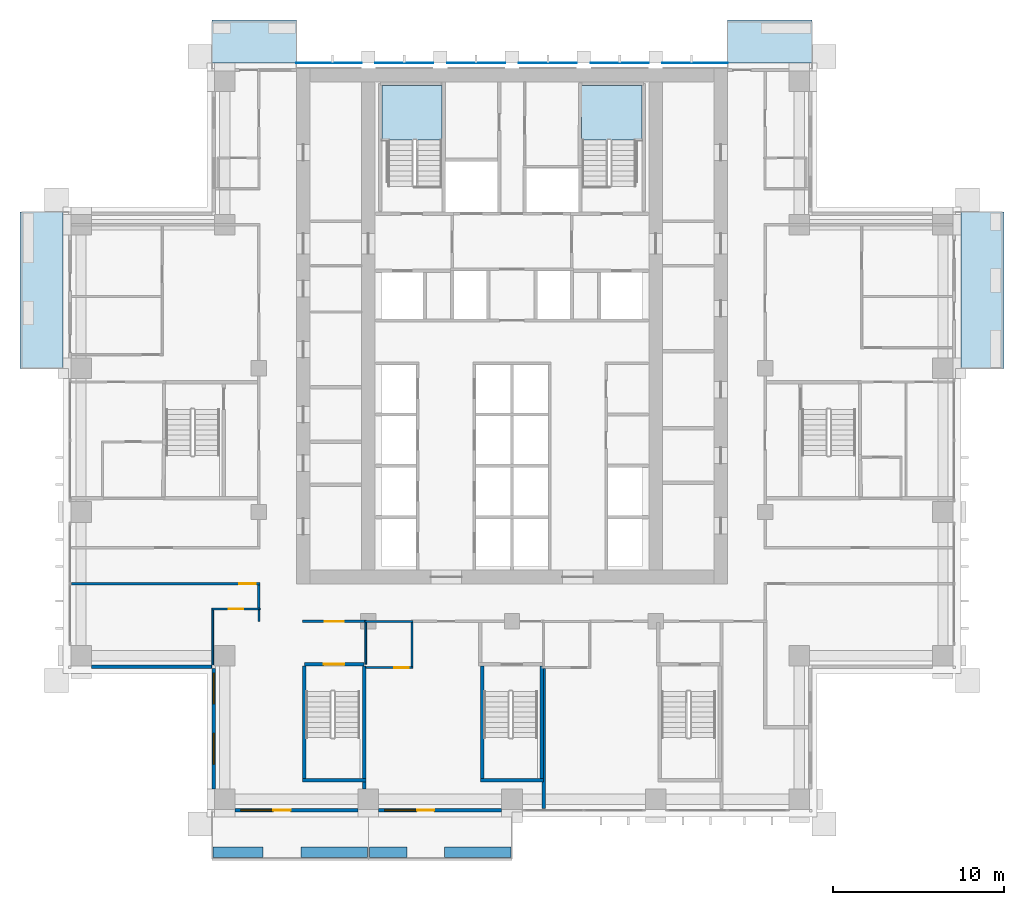
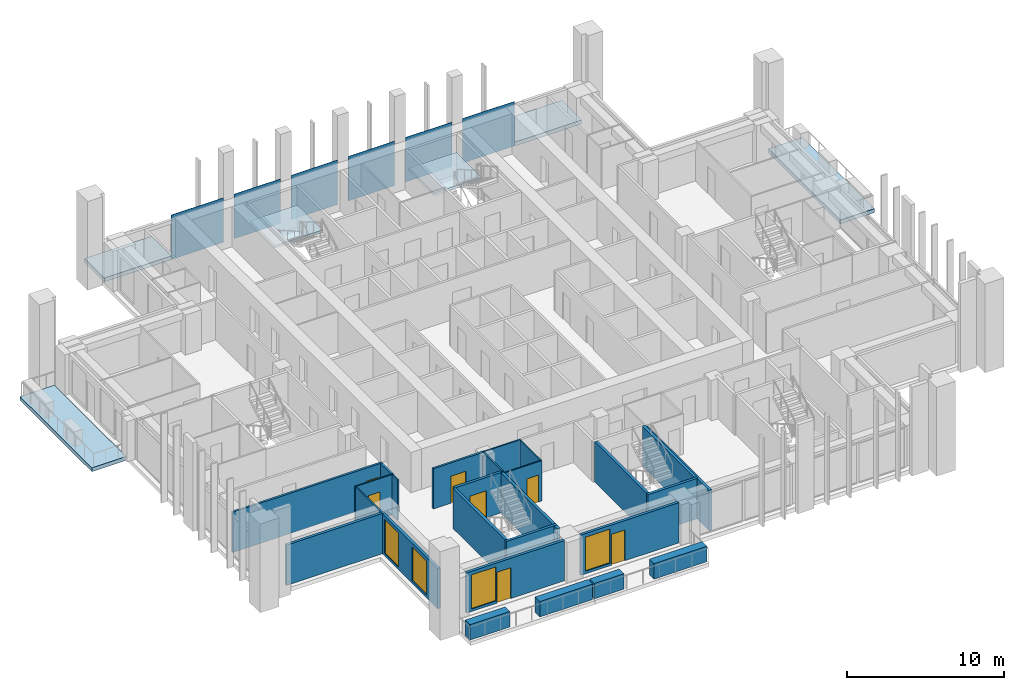
# One storey, part 6 of 17: 26 walls, 7 doors, 6 plates, 6 slabs, 4 windows, 11 openings, 2 elements without a shape of their own.
"""IFC4 building model written with IfcOpenShell, lengths in metres."""

from ifc_helpers import new_model, si_unit, direction, frame, frame_2d, origin, origin_2d, place, context, subcontext, project, spatial, polyline, rectangle, outline, extrude, material, layer, layer_set, type_object, element, fill, aggregate, save


model = new_model("IFC4")

# Units and contexts
model_context = context("Model", 3, precision=1e-05, world=origin(), true_north=direction((0.0, 1.0)))
body_context = subcontext(model_context, "Body", "Model", "MODEL_VIEW")
ifc_project = project(units=[si_unit("LENGTHUNIT", "METRE"), si_unit("AREAUNIT", "SQUARE_METRE"), si_unit("VOLUMEUNIT", "CUBIC_METRE"), si_unit("PLANEANGLEUNIT", "RADIAN"), si_unit("MASSUNIT", "GRAM", prefix="KILO")], contexts=[model_context])

# Site, building, storey
site_placement = place(None, origin())
site = spatial("IfcSite", under=ifc_project, at=site_placement, CompositionType="ELEMENT")
building_placement = place(site_placement, origin())
building = spatial("IfcBuilding", under=site, at=building_placement, Name="Vermilion Ogive Tower", CompositionType="ELEMENT")
storey_placement = place(building_placement, frame((0.0, 0.0, 111.449951171875)))
storey = spatial("IfcBuildingStorey", under=building, at=storey_placement, Name="L28", CompositionType="ELEMENT", Elevation=111.449951171875)

# Slabs
ifc_material_1 = material(Name="Concrete B40", Category="concrete")
ifc_layer_1 = layer(ifc_material_1, 0.300048828125)
ifc_layer_set_1 = layer_set([ifc_layer_1], Name="Balcony slab")
slab_type_1 = type_object("IfcSlabType", Name="Balcony slab", PredefinedType="FLOOR", material=ifc_layer_set_1)
slab_1_placement = place(storey_placement, frame((0.0, 0.0, -0.33984375)))
element("IfcSlab", 1, at=slab_1_placement, inside=storey, type_object=slab_type_1, Name="Balcony slab E03", PredefinedType="FLOOR", context=body_context, shape_type="SweptSolid", body=[
    extrude(outline(polyline([(28.77392578125, 4.199951171875), (28.77392578125, 13.35009765625), (26.25, 13.35009765625), (26.25, 4.199951171875), (28.77392578125, 4.199951171875)])), origin(), (0.0, 0.0, 1.0), 0.2998046875),
])
slab_2_placement = place(storey_placement, frame((0.0, 0.0, -0.33984375)))
element("IfcSlab", 2, at=slab_2_placement, inside=storey, type_object=slab_type_1, Name="Balcony slab N101", PredefinedType="FLOOR", context=body_context, shape_type="SweptSolid", body=[
    extrude(outline(polyline([(17.550048828125, 24.573974609375), (12.60009765625, 24.573974609375), (12.60009765625, 22.050048828125), (17.550048828125, 22.050048828125), (17.550048828125, 24.573974609375)])), origin(), (0.0, 0.0, 1.0), 0.2998046875),
])
slab_3_placement = place(storey_placement, frame((0.0, 0.0, -0.33984375)))
element("IfcSlab", 3, at=slab_3_placement, inside=storey, type_object=slab_type_1, Name="Balcony slab N201", PredefinedType="FLOOR", context=body_context, shape_type="SweptSolid", body=[
    extrude(outline(polyline([(-12.60009765625, 24.573974609375), (-17.550048828125, 24.573974609375), (-17.550048828125, 22.050048828125), (-12.60009765625, 22.050048828125), (-12.60009765625, 24.573974609375)])), origin(), (0.0, 0.0, 1.0), 0.2998046875),
])
slab_4_placement = place(storey_placement, frame((0.0, 0.0, -0.33984375)))
element("IfcSlab", 4, at=slab_4_placement, inside=storey, type_object=slab_type_1, Name="Balcony slab W01", PredefinedType="FLOOR", context=body_context, shape_type="SweptSolid", body=[
    extrude(outline(polyline([(-28.77392578125, 13.35009765625), (-28.77392578125, 4.199951171875), (-26.25, 4.199951171875), (-26.25, 13.35009765625), (-28.77392578125, 13.35009765625)])), origin(), (0.0, 0.0, 1.0), 0.2998046875),
])

# Plates
ifc_material_2 = material(Name="Low-iron laminated glazing in aluminium frame", Category="aluminium")
ifc_layer_2 = layer(ifc_material_2, 0.031982421875)
ifc_layer_set_2 = layer_set([ifc_layer_2], Name="Glazed rainscreen sheet 32")
plate_type = type_object("IfcPlateType", Name="Glazed rainscreen sheet 32", PredefinedType="SHEET", material=ifc_layer_set_2)
plate_1_placement = place(storey_placement, frame((-10.7099609375, 22.06591796875, -0.31982421875), z_axis=(0.0, 0.0, 1.0), x_axis=(1.0, 0.0, 0.0)))
element("IfcPlate", 5, at=plate_1_placement, inside=storey, type_object=plate_type, Name="Glazed rainscreen sheet N1", PredefinedType="SHEET", context=body_context, shape_type="SweptSolid", body=[
    extrude(rectangle(XDim=3.820068359375, YDim=0.031982421875, at=origin_2d()), origin(), (0.0, 0.0, 1.0), 3.449951171875),
])
for number, where, z_axis, x_axis, name in (
    (6, (-6.300048828125, 22.06591796875, -0.31982421875), (0.0, 0.0, 1.0), (1.0, 0.0, 0.0), "Glazed rainscreen sheet N2"),
    (7, (-2.10009765625, 22.06591796875, -0.31982421875), (0.0, 0.0, 1.0), (1.0, 0.0, 0.0), "Glazed rainscreen sheet N3"),
    (8, (2.10009765625, 22.06591796875, -0.31982421875), (0.0, 0.0, 1.0), (1.0, 0.0, 0.0), "Glazed rainscreen sheet N4"),
    (9, (6.300048828125, 22.06591796875, -0.31982421875), (0.0, 0.0, 1.0), (1.0, 0.0, 0.0), "Glazed rainscreen sheet N5"),
):
    element("IfcPlate", number, at=place(storey_placement, frame(where, z_axis=z_axis, x_axis=x_axis)), inside=storey, type_object=plate_type, Name=name, PredefinedType="SHEET", context=body_context, shape_type="SweptSolid", body=[
        extrude(rectangle(XDim=3.39990234375, YDim=0.031982421875, at=origin_2d()), origin(), (0.0, 0.0, 1.0), 3.449951171875),
    ])
plate_2_placement = place(storey_placement, frame((10.7099609375, 22.06591796875, -0.31982421875), z_axis=(0.0, 0.0, 1.0), x_axis=(1.0, 0.0, 0.0)))
element("IfcPlate", 10, at=plate_2_placement, inside=storey, type_object=plate_type, Name="Glazed rainscreen sheet N6", PredefinedType="SHEET", context=body_context, shape_type="SweptSolid", body=[
    extrude(rectangle(XDim=3.820068359375, YDim=0.031982421875, at=origin_2d()), origin(), (0.0, 0.0, 1.0), 3.449951171875),
])

# Stair, slab
ifc_material_3 = material(Name="Concrete B40", Category="concrete")
stair_type = type_object("IfcStairType", Name="Exit stair 1500", PredefinedType="HALF_TURN_STAIR", material=ifc_material_3)
stair_1_placement = place(storey_placement, origin())
stair_1 = element("IfcStair", 11, at=stair_1_placement, inside=storey, type_object=stair_type, Name="L28 Exit Stair ST1", PredefinedType="HALF_TURN_STAIR")
ifc_material_4 = material(Name="Concrete B40", Category="concrete")
ifc_layer_3 = layer(ifc_material_4, 0.199951171875)
ifc_layer_set_3 = layer_set([ifc_layer_3], Name="Stair landing 200")
slab_type_2 = type_object("IfcSlabType", Name="Stair landing 200", PredefinedType="LANDING", material=ifc_layer_set_3)
slab_5_placement = place(storey_placement, frame((0.0, 0.0, 1.525146484375)))
slab_5 = element("IfcSlab", 12, at=slab_5_placement, type_object=slab_type_2, Name="ST1 landing 1", PredefinedType="LANDING", context=body_context, shape_type="SweptSolid", body=[
    extrude(outline(polyline([(-7.60009765625, 17.550048828125), (-7.25, 17.550048828125), (-7.25, 17.548095703125), (-5.75, 17.548095703125), (-5.75, 17.550048828125), (-5.60009765625, 17.550048828125), (-5.60009765625, 17.548095703125), (-4.10009765625, 17.548095703125), (-4.10009765625, 20.75), (-7.60009765625, 20.75), (-7.60009765625, 17.550048828125)])), origin(), (0.0, 0.0, 1.0), 0.199951171875),
])
aggregate(stair_1, [slab_5])

stair_2_placement = place(storey_placement, origin())
stair_2 = element("IfcStair", 13, at=stair_2_placement, inside=storey, type_object=stair_type, Name="L28 Exit Stair ST2", PredefinedType="HALF_TURN_STAIR")
slab_6_placement = place(storey_placement, frame((0.0, 0.0, 1.525146484375)))
slab_6 = element("IfcSlab", 14, at=slab_6_placement, type_object=slab_type_2, Name="ST2 landing 1", PredefinedType="LANDING", context=body_context, shape_type="SweptSolid", body=[
    extrude(outline(polyline([(5.60009765625, 17.550048828125), (5.75, 17.550048828125), (5.75, 17.548095703125), (7.25, 17.548095703125), (7.25, 17.550048828125), (7.60009765625, 17.550048828125), (7.60009765625, 20.75), (4.074951171875, 20.75), (4.074951171875, 17.550048828125), (4.10009765625, 17.550048828125), (4.10009765625, 17.548095703125), (5.60009765625, 17.548095703125), (5.60009765625, 17.550048828125)])), origin(), (0.0, 0.0, 1.0), 0.199951171875),
])
aggregate(stair_2, [slab_6])

# Wall, opening, door
ifc_material_5 = material(Name="Gypsum board partition on steel studs", Category="steel")
ifc_layer_4 = layer(ifc_material_5, 0.10009765625)
ifc_layer_set_4 = layer_set([ifc_layer_4], Name="Partition 100 bath")
wall_type_1 = type_object("IfcWallType", Name="Partition 100 bath", PredefinedType="PARTITIONING", material=ifc_layer_set_4)
wall_1_placement = place(storey_placement, frame((-8.550048828125, -13.300048828125, 0.0), z_axis=(0.0, 0.0, 1.0), x_axis=(1.0, 0.0, 0.0)))
wall_1 = element("IfcWall", 15, at=wall_1_placement, inside=storey, type_object=wall_type_1, Name="L28-W-W004", PredefinedType="PARTITIONING", context=body_context, shape_type="SweptSolid", body=[
    extrude(rectangle(XDim=2.748046875, YDim=0.10009765625, at=frame_2d((1.3740234375, 0.0))), origin(), (0.0, 0.0, 1.0), 3.130126953125),
])
opening_1_placement = place(wall_1_placement, frame((1.650146484375, 0.0, 0.0)))
opening_1 = element("IfcOpeningElement", 16, at=opening_1_placement, cuts=wall_1, Name="Opening D2G5011", PredefinedType="OPENING", context=body_context, shape_type="SweptSolid", body=[
    extrude(rectangle(XDim=0.85009765625, YDim=2.10009765625, at=frame_2d((0.425048828125, 1.050048828125))), frame((0.0, 0.06005859375, 0.0), z_axis=(0.0, -1.0, 0.0), x_axis=(1.0, 0.0, 0.0)), (0.0, 0.0, 1.0), 0.1201171875),
])
ifc_material_6 = material(Name="Timber door leaf", Category="wood")
door_type_1 = type_object("IfcDoorType", Name="Bath door 850 x 2100 FD30", OperationType="SINGLE_SWING_LEFT", PredefinedType="DOOR", material=ifc_material_6)
door_1_placement = place(opening_1_placement, origin())
door_1 = element("IfcDoor", 17, at=door_1_placement, inside=storey, type_object=door_type_1, Name="L28-D-D011", OperationType="SINGLE_SWING_RIGHT", OverallHeight=2.10009765625, OverallWidth=0.85009765625, PredefinedType="DOOR", context=body_context, shape_type="SweptSolid", body=[
    extrude(rectangle(XDim=0.85009765625, YDim=2.10009765625, at=frame_2d((0.425048828125, 1.050048828125))), frame((0.0, 0.02490234375, 0.0), z_axis=(0.0, -1.0, 0.0), x_axis=(1.0, 0.0, 0.0)), (0.0, 0.0, 1.0), 0.050048828125),
])
fill(opening_1, door_1)

# Wall
wall_2_placement = place(storey_placement, frame((-8.60009765625, -10.60009765625, 0.0), z_axis=(0.0, 0.0, 1.0), x_axis=(1.0, 0.0, 0.0)))
element("IfcWall", 18, at=wall_2_placement, inside=storey, type_object=wall_type_1, Name="L28-W-W010", PredefinedType="PARTITIONING", context=body_context, shape_type="SweptSolid", body=[
    extrude(rectangle(XDim=2.800048828125, YDim=0.10009765625, at=frame_2d((1.39990234375, 0.0))), origin(), (0.0, 0.0, 1.0), 3.130126953125),
])

# Wall, opening, door
wall_3_placement = place(storey_placement, frame((-17.550048828125, -9.8701171875, 0.0), z_axis=(0.0, 0.0, 1.0), x_axis=(1.0, 0.0, 0.0)))
wall_3 = element("IfcWall", 19, at=wall_3_placement, inside=storey, type_object=wall_type_1, Name="L28-W-W014", PredefinedType="PARTITIONING", context=body_context, shape_type="SweptSolid", body=[
    extrude(rectangle(XDim=2.824951171875, YDim=0.10009765625, at=frame_2d((1.41259765625, 0.0))), origin(), (0.0, 0.0, 1.0), 3.130126953125),
])
opening_2_placement = place(wall_3_placement, frame((0.97509765625, 0.0, 0.0)))
opening_2 = element("IfcOpeningElement", 20, at=opening_2_placement, cuts=wall_3, Name="Opening D2G5002", PredefinedType="OPENING", context=body_context, shape_type="SweptSolid", body=[
    extrude(rectangle(XDim=0.85009765625, YDim=2.10009765625, at=frame_2d((0.425048828125, 1.050048828125))), frame((0.0, 0.06005859375, 0.0), z_axis=(0.0, -1.0, 0.0), x_axis=(1.0, 0.0, 0.0)), (0.0, 0.0, 1.0), 0.1201171875),
])
door_2_placement = place(opening_2_placement, origin())
door_2 = element("IfcDoor", 21, at=door_2_placement, inside=storey, type_object=door_type_1, Name="L28-D-D002", OperationType="SINGLE_SWING_RIGHT", OverallHeight=2.10009765625, OverallWidth=0.85009765625, PredefinedType="DOOR", context=body_context, shape_type="SweptSolid", body=[
    extrude(rectangle(XDim=0.85009765625, YDim=2.10009765625, at=frame_2d((0.425048828125, 1.050048828125))), frame((0.0, 0.02490234375, 0.0), z_axis=(0.0, -1.0, 0.0), x_axis=(1.0, 0.0, 0.0)), (0.0, 0.0, 1.0), 0.050048828125),
])
fill(opening_2, door_2)

# Walls
wall_4_placement = place(storey_placement, frame((-17.5, -13.35009765625, 0.0), z_axis=(0.0, 0.0, 1.0), x_axis=(0.0, 1.0, 0.0)))
element("IfcWall", 22, at=wall_4_placement, inside=storey, type_object=wall_type_1, Name="L28-W-W047", PredefinedType="PARTITIONING", context=body_context, shape_type="SweptSolid", body=[
    extrude(rectangle(XDim=3.43017578125, YDim=0.10009765625, at=frame_2d((1.715087890625, 0.0))), origin(), (0.0, 0.0, 1.0), 3.130126953125),
])
wall_5_placement = place(storey_placement, frame((-14.800048828125, -10.60009765625, 0.0), z_axis=(0.0, 0.0, 1.0), x_axis=(0.0, 1.0, 0.0)))
element("IfcWall", 23, at=wall_5_placement, inside=storey, type_object=wall_type_1, Name="L28-W-W050", PredefinedType="PARTITIONING", context=body_context, shape_type="SweptSolid", body=[
    extrude(rectangle(XDim=0.68017578125, YDim=0.10009765625, at=frame_2d((0.340087890625, 0.0))), origin(), (0.0, 0.0, 1.0), 3.130126953125),
])
wall_6_placement = place(storey_placement, frame((-8.550048828125, -13.10009765625, 0.0), z_axis=(0.0, 0.0, 1.0), x_axis=(0.0, 1.0, 0.0)))
element("IfcWall", 24, at=wall_6_placement, inside=storey, type_object=wall_type_1, Name="L28-W-W055", PredefinedType="PARTITIONING", context=body_context, shape_type="SweptSolid", body=[
    extrude(rectangle(XDim=2.425048828125, YDim=0.10009765625, at=frame_2d((1.21240234375, 0.0))), origin(), (0.0, 0.0, 1.0), 3.130126953125),
])
wall_7_placement = place(storey_placement, frame((-5.85009765625, -13.248046875, 0.0), z_axis=(0.0, 0.0, 1.0), x_axis=(0.0, 1.0, 0.0)))
element("IfcWall", 25, at=wall_7_placement, inside=storey, type_object=wall_type_1, Name="L28-W-W056", PredefinedType="PARTITIONING", context=body_context, shape_type="SweptSolid", body=[
    extrude(rectangle(XDim=2.572998046875, YDim=0.10009765625, at=frame_2d((1.28662109375, 0.0))), origin(), (0.0, 0.0, 1.0), 3.130126953125),
])

# Wall, opening, door
ifc_material_7 = material(Name="Gypsum board partition on steel studs", Category="steel")
ifc_layer_5 = layer(ifc_material_7, 0.14990234375)
ifc_layer_set_5 = layer_set([ifc_layer_5], Name="Partition 150 corridor")
wall_type_2 = type_object("IfcWallType", Name="Partition 150 corridor", PredefinedType="PARTITIONING", material=ifc_layer_set_5)
wall_8_placement = place(storey_placement, frame((-12.25, -10.60009765625, 0.0), z_axis=(0.0, 0.0, 1.0), x_axis=(1.0, 0.0, 0.0)))
wall_8 = element("IfcWall", 26, at=wall_8_placement, inside=storey, type_object=wall_type_2, Name="L28-W-W009", PredefinedType="PARTITIONING", context=body_context, shape_type="SweptSolid", body=[
    extrude(rectangle(XDim=3.75, YDim=0.14990234375, at=frame_2d((1.875, 0.0))), origin(), (0.0, 0.0, 1.0), 3.130126953125),
])
opening_3_placement = place(wall_8_placement, frame((1.300048828125, 0.0, 0.0)))
opening_3 = element("IfcOpeningElement", 27, at=opening_3_placement, cuts=wall_8, Name="Opening D2G5023", PredefinedType="OPENING", context=body_context, shape_type="SweptSolid", body=[
    extrude(rectangle(XDim=1.10009765625, YDim=2.10009765625, at=frame_2d((0.550048828125, 1.050048828125))), frame((0.0, 0.0849609375, 0.0), z_axis=(0.0, -1.0, 0.0), x_axis=(1.0, 0.0, 0.0)), (0.0, 0.0, 1.0), 0.169921875),
])
ifc_material_8 = material(Name="Timber door leaf", Category="wood")
door_type_2 = type_object("IfcDoorType", Name="Stair door 1100 x 2100 FD60S", OperationType="SINGLE_SWING_LEFT", PredefinedType="DOOR", material=ifc_material_8)
door_3_placement = place(opening_3_placement, origin())
door_3 = element("IfcDoor", 28, at=door_3_placement, inside=storey, type_object=door_type_2, Name="L28-D-D023", OperationType="SINGLE_SWING_RIGHT", OverallHeight=2.10009765625, OverallWidth=1.10009765625, PredefinedType="DOOR", context=body_context, shape_type="SweptSolid", body=[
    extrude(rectangle(XDim=1.10009765625, YDim=2.10009765625, at=frame_2d((0.550048828125, 1.050048828125))), frame((0.0, 0.02490234375, 0.0), z_axis=(0.0, -1.0, 0.0), x_axis=(1.0, 0.0, 0.0)), (0.0, 0.0, 1.0), 0.050048828125),
])
fill(opening_3, door_3)

wall_9_placement = place(storey_placement, frame((-25.75, -8.39990234375, 0.0), z_axis=(0.0, 0.0, 1.0), x_axis=(1.0, 0.0, 0.0)))
wall_9 = element("IfcWall", 29, at=wall_9_placement, inside=storey, type_object=wall_type_2, Name="L28-W-W015", PredefinedType="PARTITIONING", context=body_context, shape_type="SweptSolid", body=[
    extrude(rectangle(XDim=11.02490234375, YDim=0.14990234375, at=frame_2d((5.512451171875, 0.0))), origin(), (0.0, 0.0, 1.0), 3.130126953125),
])
opening_4_placement = place(wall_9_placement, frame((9.800048828125, 0.0, 0.0)))
opening_4 = element("IfcOpeningElement", 30, at=opening_4_placement, cuts=wall_9, Name="Opening D2G5001", PredefinedType="OPENING", context=body_context, shape_type="SweptSolid", body=[
    extrude(rectangle(XDim=0.949951171875, YDim=2.10009765625, at=frame_2d((0.47509765625, 1.050048828125))), frame((0.0, 0.0849609375, 0.0), z_axis=(0.0, -1.0, 0.0), x_axis=(1.0, 0.0, 0.0)), (0.0, 0.0, 1.0), 0.169921875),
])
ifc_material_9 = material(Name="Timber door leaf", Category="wood")
door_type_3 = type_object("IfcDoorType", Name="Unit door 950 x 2100 FD30S", OperationType="SINGLE_SWING_LEFT", PredefinedType="DOOR", material=ifc_material_9)
door_4_placement = place(opening_4_placement, origin())
door_4 = element("IfcDoor", 31, at=door_4_placement, inside=storey, type_object=door_type_3, Name="L28-D-D001", OperationType="SINGLE_SWING_RIGHT", OverallHeight=2.10009765625, OverallWidth=0.949951171875, PredefinedType="DOOR", context=body_context, shape_type="SweptSolid", body=[
    extrude(rectangle(XDim=0.949951171875, YDim=2.10009765625, at=frame_2d((0.47509765625, 1.050048828125))), frame((0.0, 0.02490234375, 0.0), z_axis=(0.0, -1.0, 0.0), x_axis=(1.0, 0.0, 0.0)), (0.0, 0.0, 1.0), 0.050048828125),
])
fill(opening_4, door_4)

# Walls
wall_10_placement = place(storey_placement, frame((-14.800048828125, -9.820068359375, 0.0), z_axis=(0.0, 0.0, 1.0), x_axis=(0.0, 1.0, 0.0)))
element("IfcWall", 32, at=wall_10_placement, inside=storey, type_object=wall_type_2, Name="L28-W-W051", PredefinedType="PARTITIONING", context=body_context, shape_type="SweptSolid", body=[
    extrude(rectangle(XDim=1.344970703125, YDim=0.14990234375, at=frame_2d((0.67236328125, 0.0))), origin(), (0.0, 0.0, 1.0), 3.130126953125),
])
ifc_material_10 = material(Name="Concrete B60", Category="concrete")
ifc_layer_6 = layer(ifc_material_10, 0.199951171875)
ifc_layer_set_6 = layer_set([ifc_layer_6], Name="Stair shaft wall 200 Concrete B60")
wall_type_3 = type_object("IfcWallType", Name="Stair shaft wall 200 Concrete B60", PredefinedType="SOLIDWALL", material=ifc_layer_set_6)
wall_11_placement = place(storey_placement, frame((-1.847900390625, -19.89990234375, 0.0), z_axis=(0.0, 0.0, 1.0), x_axis=(1.0, 0.0, 0.0)))
element("IfcWall", 33, at=wall_11_placement, inside=storey, type_object=wall_type_3, Name="L28-W-W001", PredefinedType="SOLIDWALL", context=body_context, shape_type="SweptSolid", body=[
    extrude(rectangle(XDim=3.69580078125, YDim=0.199951171875, at=frame_2d((1.847900390625, 0.0))), origin(), (0.0, 0.0, 1.0), 3.130126953125),
])

# Wall, opening, door
wall_12_placement = place(storey_placement, frame((-12.14990234375, -13.10009765625, 0.0), z_axis=(0.0, 0.0, 1.0), x_axis=(1.0, 0.0, 0.0)))
wall_12 = element("IfcWall", 34, at=wall_12_placement, inside=storey, type_object=wall_type_3, Name="L28-W-W006", PredefinedType="SOLIDWALL", context=body_context, shape_type="SweptSolid", body=[
    extrude(rectangle(XDim=3.5, YDim=0.199951171875, at=frame_2d((1.75, 0.0))), origin(), (0.0, 0.0, 1.0), 3.130126953125),
])
opening_5_placement = place(wall_12_placement, frame((1.14990234375, 0.0, 0.0)))
opening_5 = element("IfcOpeningElement", 35, at=opening_5_placement, cuts=wall_12, Name="Opening D2G5024", PredefinedType="OPENING", context=body_context, shape_type="SweptSolid", body=[
    extrude(rectangle(XDim=1.199951171875, YDim=2.10009765625, at=frame_2d((0.60009765625, 1.050048828125))), frame((0.0, 0.10986328125, 0.0), z_axis=(0.0, -1.0, 0.0), x_axis=(1.0, 0.0, 0.0)), (0.0, 0.0, 1.0), 0.219970703125),
])
ifc_material_11 = material(Name="Timber door leaf", Category="wood")
door_type_4 = type_object("IfcDoorType", Name="Stair door 1200 x 2100 FD60S", OperationType="SINGLE_SWING_LEFT", PredefinedType="DOOR", material=ifc_material_11)
door_5_placement = place(opening_5_placement, origin())
door_5 = element("IfcDoor", 36, at=door_5_placement, inside=storey, type_object=door_type_4, Name="L28-D-D024", OperationType="SINGLE_SWING_RIGHT", OverallHeight=2.10009765625, OverallWidth=1.199951171875, PredefinedType="DOOR", context=body_context, shape_type="SweptSolid", body=[
    extrude(rectangle(XDim=1.199951171875, YDim=2.10009765625, at=frame_2d((0.60009765625, 1.050048828125))), frame((0.0, 0.02490234375, 0.0), z_axis=(0.0, -1.0, 0.0), x_axis=(1.0, 0.0, 0.0)), (0.0, 0.0, 1.0), 0.050048828125),
])
fill(opening_5, door_5)

# Walls
for number, where, z_axis, x_axis, name in (
    (37, (-1.75, -19.798095703125, 0.0), (0.0, 0.0, 1.0), (0.0, 1.0, 0.0), "L28-W-W058"),
    (38, (1.75, -19.798095703125, 0.0), (0.0, 0.0, 1.0), (0.0, 1.0, 0.0), "L28-W-W059"),
):
    element("IfcWall", number, at=place(storey_placement, frame(where, z_axis=z_axis, x_axis=x_axis)), inside=storey, type_object=wall_type_3, Name=name, PredefinedType="SOLIDWALL", context=body_context, shape_type="SweptSolid", body=[
        extrude(rectangle(XDim=6.59619140625, YDim=0.199951171875, at=frame_2d((3.298095703125, 0.0))), origin(), (0.0, 0.0, 1.0), 3.130126953125),
    ])
wall_13_placement = place(storey_placement, frame((-12.25, -19.89990234375, 0.0), z_axis=(0.0, 0.0, 1.0), x_axis=(1.0, 0.0, 0.0)))
element("IfcWall", 39, at=wall_13_placement, inside=storey, type_object=wall_type_3, Name="L28-SW-ST3-S1", PredefinedType="SOLIDWALL", context=body_context, shape_type="SweptSolid", body=[
    extrude(rectangle(XDim=3.699951171875, YDim=0.199951171875, at=frame_2d((1.85009765625, 0.0))), origin(), (0.0, 0.0, 1.0), 3.130126953125),
])
wall_14_placement = place(storey_placement, frame((-12.14990234375, -19.800048828125, 0.0), z_axis=(0.0, 0.0, 1.0), x_axis=(0.0, 1.0, 0.0)))
element("IfcWall", 40, at=wall_14_placement, inside=storey, type_object=wall_type_3, Name="L28-SW-ST3-W1", PredefinedType="SOLIDWALL", context=body_context, shape_type="SweptSolid", body=[
    extrude(rectangle(XDim=6.60009765625, YDim=0.199951171875, at=frame_2d((3.300048828125, 0.0))), origin(), (0.0, 0.0, 1.0), 3.130126953125),
])
wall_15_placement = place(storey_placement, frame((1.85009765625, -21.550048828125, 0.0), z_axis=(0.0, 0.0, 1.0), x_axis=(0.0, 1.0, 0.0)))
element("IfcWall", 41, at=wall_15_placement, inside=storey, type_object=wall_type_3, Name="L28-W-W060-A", PredefinedType="SOLIDWALL", context=body_context, shape_type="SweptSolid", body=[
    extrude(rectangle(XDim=8.199951171875, YDim=0.199951171875, at=frame_2d((4.10009765625, 0.0))), origin(), (0.0, 0.0, 1.0), 3.130126953125),
])
wall_16_placement = place(storey_placement, frame((-8.64990234375, -20.39990234375, 0.0), z_axis=(0.0, 0.0, 1.0), x_axis=(0.0, 1.0, 0.0)))
element("IfcWall", 42, at=wall_16_placement, inside=storey, type_object=wall_type_3, Name="L28-SW-ST3-E1-A", PredefinedType="SOLIDWALL", context=body_context, shape_type="SweptSolid", body=[
    extrude(rectangle(XDim=7.197998046875, YDim=0.199951171875, at=frame_2d((3.59912109375, 0.0))), origin(), (0.0, 0.0, 1.0), 3.130126953125),
])
ifc_material_12 = material(Name="Concrete B40", Category="concrete")
ifc_layer_7 = layer(ifc_material_12, 0.60009765625)
ifc_layer_set_7 = layer_set([ifc_layer_7], Name="Structural planter")
wall_type_4 = type_object("IfcWallType", Name="Structural planter", PredefinedType="USERDEFINED", material=ifc_layer_set_7)
wall_17_placement = place(storey_placement, frame((-17.489990234375, -24.093994140625, -0.0400390625), z_axis=(0.0, 0.0, 1.0), x_axis=(1.0, 0.0, 0.0)))
element("IfcWall", 43, at=wall_17_placement, inside=storey, type_object=wall_type_4, Name="Planter S01A1", ObjectType="PLANTER", PredefinedType="USERDEFINED", context=body_context, shape_type="SweptSolid", body=[
    extrude(rectangle(XDim=2.93994140625, YDim=0.60009765625, at=frame_2d((1.469970703125, 0.0))), origin(), (0.0, 0.0, 1.0), 1.2001953125),
])
wall_18_placement = place(storey_placement, frame((-12.35009765625, -24.093994140625, -0.0400390625), z_axis=(0.0, 0.0, 1.0), x_axis=(1.0, 0.0, 0.0)))
element("IfcWall", 44, at=wall_18_placement, inside=storey, type_object=wall_type_4, Name="Planter S01A2", ObjectType="PLANTER", PredefinedType="USERDEFINED", context=body_context, shape_type="SweptSolid", body=[
    extrude(rectangle(XDim=3.89013671875, YDim=0.60009765625, at=frame_2d((1.945068359375, 0.0))), origin(), (0.0, 0.0, 1.0), 1.2001953125),
])
wall_19_placement = place(storey_placement, frame((-8.340087890625, -24.093994140625, -0.0400390625), z_axis=(0.0, 0.0, 1.0), x_axis=(1.0, 0.0, 0.0)))
element("IfcWall", 45, at=wall_19_placement, inside=storey, type_object=wall_type_4, Name="Planter S02A1", ObjectType="PLANTER", PredefinedType="USERDEFINED", context=body_context, shape_type="SweptSolid", body=[
    extrude(rectangle(XDim=2.190185546875, YDim=0.60009765625, at=frame_2d((1.09521484375, 0.0))), origin(), (0.0, 0.0, 1.0), 1.2001953125),
])
wall_20_placement = place(storey_placement, frame((-3.949951171875, -24.093994140625, -0.0400390625), z_axis=(0.0, 0.0, 1.0), x_axis=(1.0, 0.0, 0.0)))
element("IfcWall", 46, at=wall_20_placement, inside=storey, type_object=wall_type_4, Name="Planter S02A2", ObjectType="PLANTER", PredefinedType="USERDEFINED", context=body_context, shape_type="SweptSolid", body=[
    extrude(rectangle(XDim=3.889892578125, YDim=0.60009765625, at=frame_2d((1.94482421875, 0.0))), origin(), (0.0, 0.0, 1.0), 1.2001953125),
])

# Wall, openings, door, window
ifc_material_13 = material(Name="Aluminium window wall framing", Category="aluminium")
ifc_layer_8 = layer(ifc_material_13, 0.199951171875)
ifc_layer_set_8 = layer_set([ifc_layer_8], Name="Window wall")
wall_type_5 = type_object("IfcWallType", Name="Window wall", PredefinedType="STANDARD", material=ifc_layer_set_8)
wall_21_placement = place(storey_placement, frame((-16.199951171875, -21.64990234375, 0.0), z_axis=(0.0, 0.0, 1.0), x_axis=(1.0, 0.0, 0.0)))
wall_21 = element("IfcWall", 47, at=wall_21_placement, inside=storey, type_object=wall_type_5, Name="Window wall S1", PredefinedType="STANDARD", context=body_context, shape_type="SweptSolid", body=[
    extrude(rectangle(XDim=7.199951171875, YDim=0.199951171875, at=frame_2d((3.60009765625, 0.0))), origin(), (0.0, 0.0, 1.0), 3.130126953125),
])
opening_6_placement = place(wall_21_placement, frame((0.35009765625, 0.0, 0.199951171875)))
opening_6 = element("IfcOpeningElement", 48, at=opening_6_placement, cuts=wall_21, Name="Opening W1-S96", PredefinedType="OPENING", context=body_context, shape_type="SweptSolid", body=[
    extrude(rectangle(XDim=1.800048828125, YDim=2.64990234375, at=frame_2d((0.89990234375, 1.324951171875))), frame((0.0, 0.10986328125, 0.0), z_axis=(0.0, -1.0, 0.0), x_axis=(1.0, 0.0, 0.0)), (0.0, 0.0, 1.0), 0.219970703125),
])
opening_7_placement = place(wall_21_placement, frame((2.25, 0.0, 0.0)))
opening_7 = element("IfcOpeningElement", 49, at=opening_7_placement, cuts=wall_21, Name="Opening D1-S96", PredefinedType="OPENING", context=body_context, shape_type="SweptSolid", body=[
    extrude(rectangle(XDim=1.0, YDim=2.39990234375, at=frame_2d((0.5, 1.199951171875))), frame((0.0, 0.10986328125, 0.0), z_axis=(0.0, -1.0, 0.0), x_axis=(1.0, 0.0, 0.0)), (0.0, 0.0, 1.0), 0.219970703125),
])
ifc_material_14 = material(Name="Aluminium framed glazed door", Category="aluminium")
door_type_5 = type_object("IfcDoorType", Name="Balcony door D1", OperationType="SINGLE_SWING_LEFT", PredefinedType="DOOR", material=ifc_material_14)
door_6_placement = place(opening_7_placement, origin())
door_6 = element("IfcDoor", 50, at=door_6_placement, inside=storey, type_object=door_type_5, Name="Balcony door S96", OperationType="SINGLE_SWING_LEFT", OverallHeight=2.39990234375, OverallWidth=1.0, PredefinedType="DOOR", context=body_context, shape_type="SweptSolid", body=[
    extrude(rectangle(XDim=1.0, YDim=2.39990234375, at=frame_2d((0.5, 1.199951171875))), frame((0.0, 0.02490234375, 0.0), z_axis=(0.0, -1.0, 0.0), x_axis=(1.0, 0.0, 0.0)), (0.0, 0.0, 1.0), 0.050048828125),
])
fill(opening_7, door_6)
ifc_material_15 = material(Name="Aluminium framed double glazing", Category="aluminium")
window_type = type_object("IfcWindowType", Name="Guest window W1", PartitioningType="SINGLE_PANEL", PredefinedType="WINDOW", material=ifc_material_15)
window_1_placement = place(opening_6_placement, origin())
window_1 = element("IfcWindow", 51, at=window_1_placement, inside=storey, type_object=window_type, Name="Window S96", OverallHeight=2.64990234375, OverallWidth=1.800048828125, PartitioningType="SINGLE_PANEL", PredefinedType="WINDOW", context=body_context, shape_type="SweptSolid", body=[
    extrude(rectangle(XDim=1.800048828125, YDim=2.64990234375, at=frame_2d((0.89990234375, 1.324951171875))), frame((0.0, 0.030029296875, 0.0), z_axis=(0.0, -1.0, 0.0), x_axis=(1.0, 0.0, 0.0)), (0.0, 0.0, 1.0), 0.06005859375),
])
fill(opening_6, window_1)

wall_22_placement = place(storey_placement, frame((-7.800048828125, -21.64990234375, 0.0), z_axis=(0.0, 0.0, 1.0), x_axis=(1.0, 0.0, 0.0)))
wall_22 = element("IfcWall", 52, at=wall_22_placement, inside=storey, type_object=wall_type_5, Name="Window wall S2", PredefinedType="STANDARD", context=body_context, shape_type="SweptSolid", body=[
    extrude(rectangle(XDim=7.199951171875, YDim=0.199951171875, at=frame_2d((3.60009765625, 0.0))), origin(), (0.0, 0.0, 1.0), 3.130126953125),
])
opening_8_placement = place(wall_22_placement, frame((0.35009765625, 0.0, 0.199951171875)))
opening_8 = element("IfcOpeningElement", 53, at=opening_8_placement, cuts=wall_22, Name="Opening W1-S98", PredefinedType="OPENING", context=body_context, shape_type="SweptSolid", body=[
    extrude(rectangle(XDim=1.800048828125, YDim=2.64990234375, at=frame_2d((0.89990234375, 1.324951171875))), frame((0.0, 0.10986328125, 0.0), z_axis=(0.0, -1.0, 0.0), x_axis=(1.0, 0.0, 0.0)), (0.0, 0.0, 1.0), 0.219970703125),
])
opening_9_placement = place(wall_22_placement, frame((2.25, 0.0, 0.0)))
opening_9 = element("IfcOpeningElement", 54, at=opening_9_placement, cuts=wall_22, Name="Opening D1-S98", PredefinedType="OPENING", context=body_context, shape_type="SweptSolid", body=[
    extrude(rectangle(XDim=1.0, YDim=2.39990234375, at=frame_2d((0.5, 1.199951171875))), frame((0.0, 0.10986328125, 0.0), z_axis=(0.0, -1.0, 0.0), x_axis=(1.0, 0.0, 0.0)), (0.0, 0.0, 1.0), 0.219970703125),
])
door_7_placement = place(opening_9_placement, origin())
door_7 = element("IfcDoor", 55, at=door_7_placement, inside=storey, type_object=door_type_5, Name="Balcony door S98", OperationType="SINGLE_SWING_LEFT", OverallHeight=2.39990234375, OverallWidth=1.0, PredefinedType="DOOR", context=body_context, shape_type="SweptSolid", body=[
    extrude(rectangle(XDim=1.0, YDim=2.39990234375, at=frame_2d((0.5, 1.199951171875))), frame((0.0, 0.02490234375, 0.0), z_axis=(0.0, -1.0, 0.0), x_axis=(1.0, 0.0, 0.0)), (0.0, 0.0, 1.0), 0.050048828125),
])
fill(opening_9, door_7)
window_2_placement = place(opening_8_placement, origin())
window_2 = element("IfcWindow", 56, at=window_2_placement, inside=storey, type_object=window_type, Name="Window S98", OverallHeight=2.64990234375, OverallWidth=1.800048828125, PartitioningType="SINGLE_PANEL", PredefinedType="WINDOW", context=body_context, shape_type="SweptSolid", body=[
    extrude(rectangle(XDim=1.800048828125, YDim=2.64990234375, at=frame_2d((0.89990234375, 1.324951171875))), frame((0.0, 0.030029296875, 0.0), z_axis=(0.0, -1.0, 0.0), x_axis=(1.0, 0.0, 0.0)), (0.0, 0.0, 1.0), 0.06005859375),
])
fill(opening_8, window_2)

# Wall
wall_23_placement = place(storey_placement, frame((-24.60009765625, -13.25, 0.0), z_axis=(0.0, 0.0, 1.0), x_axis=(1.0, 0.0, 0.0)))
element("IfcWall", 57, at=wall_23_placement, inside=storey, type_object=wall_type_5, Name="Window wall X71", PredefinedType="STANDARD", context=body_context, shape_type="SweptSolid", body=[
    extrude(rectangle(XDim=7.050048828125, YDim=0.199951171875, at=frame_2d((3.52490234375, 0.0))), origin(), (0.0, 0.0, 1.0), 3.130126953125),
])

# Wall, openings, windows
wall_24_placement = place(storey_placement, frame((-17.449951171875, -13.35009765625, 0.0), z_axis=(0.0, 0.0, 1.0), x_axis=(0.0, -1.0, 0.0)))
wall_24 = element("IfcWall", 58, at=wall_24_placement, inside=storey, type_object=wall_type_5, Name="Window wall X81", PredefinedType="STANDARD", context=body_context, shape_type="SweptSolid", body=[
    extrude(rectangle(XDim=7.0498046875, YDim=0.199951171875, at=frame_2d((3.52490234375, 0.0))), origin(), (0.0, 0.0, 1.0), 3.130126953125),
])
opening_10_placement = place(wall_24_placement, frame((3.800048828125, 0.0, 0.199951171875)))
opening_10 = element("IfcOpeningElement", 59, at=opening_10_placement, cuts=wall_24, Name="Opening W1-X895", PredefinedType="OPENING", context=body_context, shape_type="SweptSolid", body=[
    extrude(rectangle(XDim=1.800048828125, YDim=2.64990234375, at=frame_2d((0.89990234375, 1.324951171875))), frame((0.0, 0.10986328125, 0.0), z_axis=(0.0, -1.0, 0.0), x_axis=(1.0, 0.0, 0.0)), (0.0, 0.0, 1.0), 0.219970703125),
])
opening_11_placement = place(wall_24_placement, frame((0.27490234375, 0.0, 0.199951171875)))
opening_11 = element("IfcOpeningElement", 60, at=opening_11_placement, cuts=wall_24, Name="Opening W1-X896", PredefinedType="OPENING", context=body_context, shape_type="SweptSolid", body=[
    extrude(rectangle(XDim=1.800048828125, YDim=2.64990234375, at=frame_2d((0.89990234375, 1.324951171875))), frame((0.0, 0.10986328125, 0.0), z_axis=(0.0, -1.0, 0.0), x_axis=(1.0, 0.0, 0.0)), (0.0, 0.0, 1.0), 0.219970703125),
])
window_3_placement = place(opening_10_placement, origin())
window_3 = element("IfcWindow", 61, at=window_3_placement, inside=storey, type_object=window_type, Name="Window X895", OverallHeight=2.64990234375, OverallWidth=1.800048828125, PartitioningType="SINGLE_PANEL", PredefinedType="WINDOW", context=body_context, shape_type="SweptSolid", body=[
    extrude(rectangle(XDim=1.800048828125, YDim=2.64990234375, at=frame_2d((0.89990234375, 1.324951171875))), frame((0.0, 0.030029296875, 0.0), z_axis=(0.0, -1.0, 0.0), x_axis=(1.0, 0.0, 0.0)), (0.0, 0.0, 1.0), 0.06005859375),
])
fill(opening_10, window_3)
window_4_placement = place(opening_11_placement, origin())
window_4 = element("IfcWindow", 62, at=window_4_placement, inside=storey, type_object=window_type, Name="Window X896", OverallHeight=2.64990234375, OverallWidth=1.800048828125, PartitioningType="SINGLE_PANEL", PredefinedType="WINDOW", context=body_context, shape_type="SweptSolid", body=[
    extrude(rectangle(XDim=1.800048828125, YDim=2.64990234375, at=frame_2d((0.89990234375, 1.324951171875))), frame((0.0, 0.030029296875, 0.0), z_axis=(0.0, -1.0, 0.0), x_axis=(1.0, 0.0, 0.0)), (0.0, 0.0, 1.0), 0.06005859375),
])
fill(opening_11, window_4)

save(model, "model.ifc")
